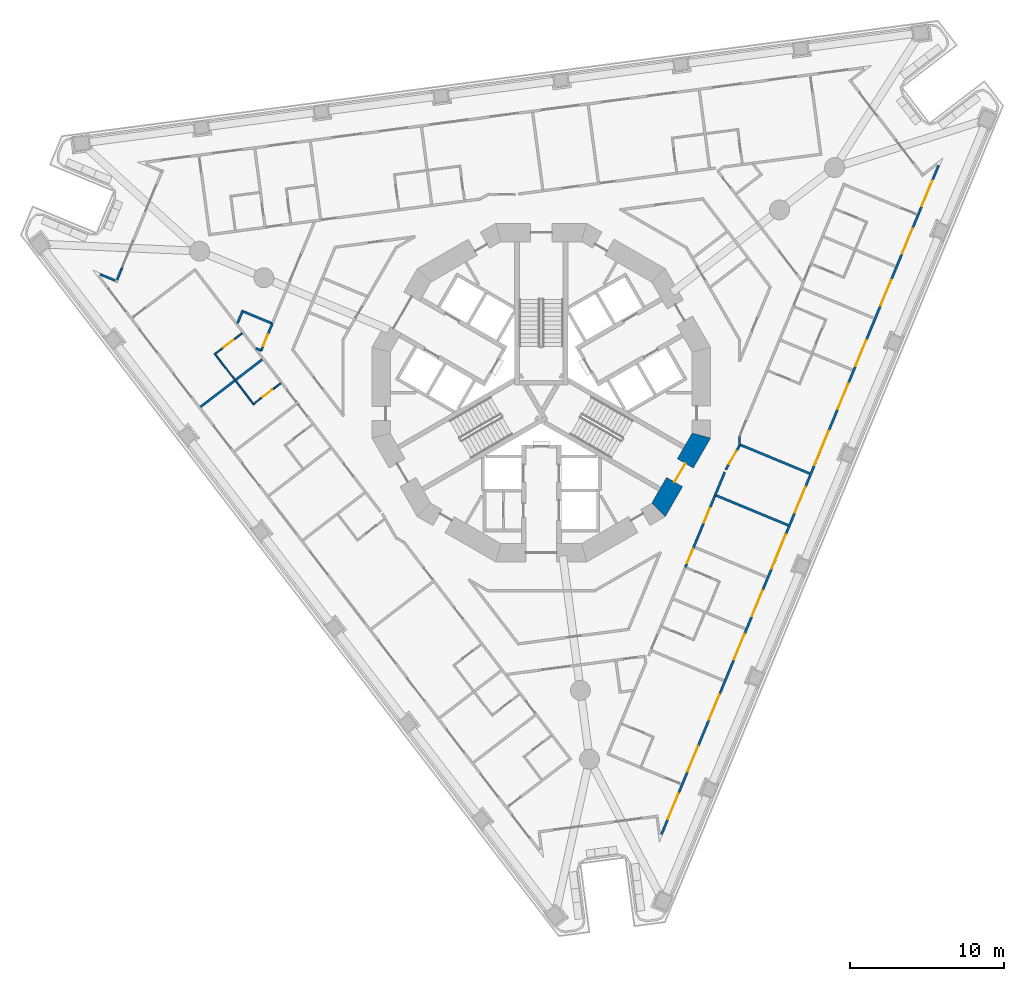
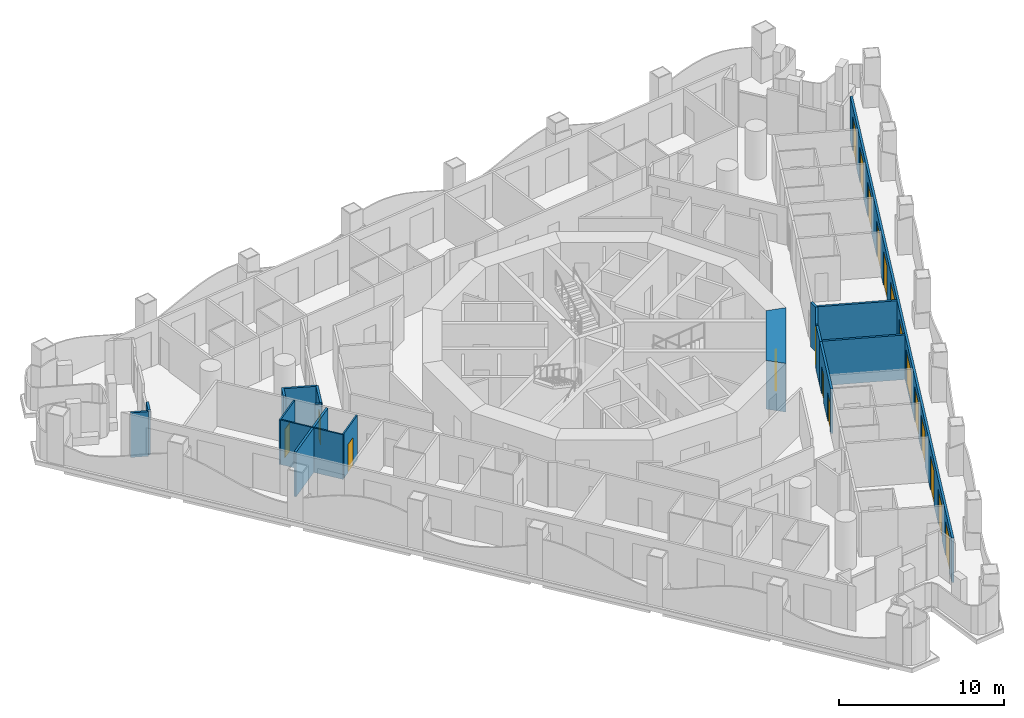
# One storey, part 5 of 19: 19 walls, 18 doors, 2 windows, 20 openings.
"""IFC4 building model written with IfcOpenShell, lengths in metres."""

import ifcopenshell
import ifcopenshell.guid

model = None  # the IFC model being written
_history = None  # IfcOwnerHistory: only IFC2X3 demands one
_inside = {}  # id of a spatial element -> (the spatial element, [elements in it])
_under = {}  # id of a project, library or spatial element -> (it, [spatial elements below it])
_declared = {}  # id of a project -> (the project, [libraries it declares])
_typed = {}  # id of a type object -> (the type object, [elements of that type])
_made_of = {}  # id of a material, layer set ... -> (it, [elements and type objects made of it])


def new_model(schema):
    """Start an empty IFC model of exactly this schema.

    Asked for "IFC4X3", IfcOpenShell would pick the latest addendum, in which some entities
    have other attributes; the version numbers below select the first issue.
    IFC2X3 requires an IfcOwnerHistory on every rooted entity: one is made here for all.
    """
    global model, _history
    if schema == "IFC4X3":
        model = ifcopenshell.file(schema_version=(4, 3, 0, 0))
    else:
        model = ifcopenshell.file(schema=schema)
    _inside.clear()
    _under.clear()
    _declared.clear()
    _typed.clear()
    _made_of.clear()
    _history = None
    if model.schema == "IFC2X3":
        org = make("IfcOrganization", Name="unknown")
        user = make(
            "IfcPersonAndOrganization",
            ThePerson=make("IfcPerson", FamilyName="unknown"),
            TheOrganization=org,
        )
        app = make(
            "IfcApplication",
            ApplicationDeveloper=org,
            Version="unknown",
            ApplicationFullName="unknown",
            ApplicationIdentifier="unknown",
        )
        _history = make(
            "IfcOwnerHistory",
            OwningUser=user,
            OwningApplication=app,
            ChangeAction="ADDED",
            CreationDate=0,
        )
    return model


def make(cls, **values):
    """One entity of the class cls with the attributes given. An attribute that is None is left unset."""
    return model.create_entity(
        cls, **{name: value for name, value in values.items() if value is not None}
    )


def rooted(cls, **values):
    """An entity with a GlobalId (a new one), such as an element, a storey or a relation."""
    return make(cls, GlobalId=ifcopenshell.guid.new(), OwnerHistory=_history, **values)


def si_unit(unit_type, name, prefix=None):
    """IfcSIUnit, for example si_unit("LENGTHUNIT", "METRE", prefix="MILLI")."""
    return make("IfcSIUnit", UnitType=unit_type, Prefix=prefix, Name=name)


def assignment(units):
    """IfcUnitAssignment: the units of a project."""
    return None if units is None else make("IfcUnitAssignment", Units=units)


def point(xyz):
    """IfcCartesianPoint."""
    return None if xyz is None else make("IfcCartesianPoint", Coordinates=xyz)


def direction(xyz):
    """IfcDirection."""
    return None if xyz is None else make("IfcDirection", DirectionRatios=xyz)


def frame(location, z_axis=None, x_axis=None):
    """IfcAxis2Placement3D, a coordinate frame: its origin and axes. An axis left out is left unset."""
    return make(
        "IfcAxis2Placement3D",
        Location=point(location),
        Axis=direction(z_axis),
        RefDirection=direction(x_axis),
    )


def frame_2d(location, x_axis=None):
    """IfcAxis2Placement2D, a coordinate frame in the plane: its origin and x axis."""
    return make(
        "IfcAxis2Placement2D", Location=point(location), RefDirection=direction(x_axis)
    )


def origin():
    """The frame at (0, 0, 0) with its axes left unset."""
    return frame((0.0, 0.0, 0.0))


def place(relative_to, where):
    """IfcLocalPlacement: puts the frame where relative to a parent placement (None: the world)."""
    return make(
        "IfcLocalPlacement", PlacementRelTo=relative_to, RelativePlacement=where
    )


def context(
    kind, dimensions, precision=None, world=None, true_north=None, identifier=None
):
    """IfcGeometricRepresentationContext, for example the 3D "Model" context."""
    return make(
        "IfcGeometricRepresentationContext",
        ContextIdentifier=identifier,
        ContextType=kind,
        CoordinateSpaceDimension=dimensions,
        Precision=precision,
        WorldCoordinateSystem=world,
        TrueNorth=true_north,
    )


def subcontext(parent, identifier, kind, view, scale=None):
    """IfcGeometricRepresentationSubContext, for example "Body" below "Model"."""
    return make(
        "IfcGeometricRepresentationSubContext",
        ContextIdentifier=identifier,
        ContextType=kind,
        ParentContext=parent,
        TargetScale=scale,
        TargetView=view,
    )


def project(units=None, contexts=None):
    """IfcProject with its units and contexts."""
    return rooted(
        "IfcProject",
        Name="project",
        RepresentationContexts=contexts,
        UnitsInContext=assignment(units),
    )


def spatial(cls, under=None, at=None, **own):
    """A site, building, storey or space (cls), placed at a placement, below another one or the project."""
    s = rooted(cls, ObjectPlacement=at, **own)
    if under is not None:
        _under.setdefault(under.id(), (under, []))[1].append(s)
    return s


def polyline(points):
    """IfcPolyline through the points."""
    return make("IfcPolyline", Points=[point(p) for p in points])


def profile(cls, at=None, kind="AREA", **sizes):
    """A parametric profile (cls). Its sizes go by their IFC names, for example OverallWidth=200.0."""
    return make(cls, ProfileType=kind, Position=at, **sizes)


def rectangle(**sizes):
    """IfcRectangleProfileDef."""
    return profile("IfcRectangleProfileDef", **sizes)


def outline(outer, holes=None, kind="AREA"):
    """IfcArbitraryClosedProfileDef: a profile drawn as a closed curve; with holes, ...WithVoids."""
    if holes is None:
        return make("IfcArbitraryClosedProfileDef", ProfileType=kind, OuterCurve=outer)
    return make(
        "IfcArbitraryProfileDefWithVoids",
        ProfileType=kind,
        OuterCurve=outer,
        InnerCurves=holes,
    )


def extrude(swept, where, along, depth):
    """IfcExtrudedAreaSolid: the profile swept, set in the frame where, extruded along a direction by depth."""
    return make(
        "IfcExtrudedAreaSolid",
        SweptArea=swept,
        Position=where,
        ExtrudedDirection=direction(along),
        Depth=depth,
    )


def shape(context_of_items, identifier, shape_type, items):
    """IfcShapeRepresentation: the items that make up one representation, for example the "Body"."""
    return make(
        "IfcShapeRepresentation",
        ContextOfItems=context_of_items,
        RepresentationIdentifier=identifier,
        RepresentationType=shape_type,
        Items=items,
    )


def material(Name=None, Category=None):
    """IfcMaterial."""
    return make("IfcMaterial", Name=Name, Category=Category)


def layer(
    of_material, thickness, ventilated=None, Name=None, Category=None, Priority=None
):
    """IfcMaterialLayer: one layer of a wall or slab, of a material (None: an air gap)."""
    return make(
        "IfcMaterialLayer",
        Material=of_material,
        LayerThickness=thickness,
        IsVentilated=ventilated,
        Name=Name,
        Category=Category,
        Priority=Priority,
    )


def layer_set(layers, Name=None):
    """IfcMaterialLayerSet."""
    return make("IfcMaterialLayerSet", MaterialLayers=layers, LayerSetName=Name)


def made_of(thing, what):
    """Note that an element or type object is made of a material, layer set ...; save() writes the relation."""
    if what is not None:
        _made_of.setdefault(what.id(), (what, []))[1].append(thing)
    return thing


def type_object(cls, material=None, **own):
    """A type object (cls), such as IfcWallType, which elements share."""
    return made_of(rooted(cls, **own), material)


def element(
    cls,
    number,
    at=None,
    inside=None,
    cuts=None,
    type_object=None,
    material=None,
    context=None,
    identifier="Body",
    shape_type=None,
    held_by="IfcProductDefinitionShape",
    body=None,
    shapes=None,
    **own,
):
    """One element of the class cls, such as IfcWall. Its Tag is "e" and its number.

    at: its placement. inside: the storey or other place that contains it. cuts: it is an
    opening in that element (IfcRelVoidsElement). A single representation is given by context,
    identifier, shape_type and body (its items); several are given by shapes. held_by: the class
    of the entity that holds the representations. save() writes the other relations.
    """
    e = rooted(cls, Tag="e%d" % number, ObjectPlacement=at, **own)
    if body is not None:
        shapes = [shape(context, identifier, shape_type, body)]
    if shapes is not None:
        e.Representation = make(held_by, Representations=shapes)
    if inside is not None:
        _inside.setdefault(inside.id(), (inside, []))[1].append(e)
    if cuts is not None:
        rooted(
            "IfcRelVoidsElement", RelatingBuildingElement=cuts, RelatedOpeningElement=e
        )
    if type_object is not None:
        _typed.setdefault(type_object.id(), (type_object, []))[1].append(e)
    return made_of(e, material)


def fill(opening, filler):
    """IfcRelFillsElement: the door or window that sits in an opening."""
    return rooted(
        "IfcRelFillsElement",
        RelatingOpeningElement=opening,
        RelatedBuildingElement=filler,
    )


def aggregate(whole, parts):
    """IfcRelAggregates: a whole, such as a stair, and the parts it consists of."""
    return rooted("IfcRelAggregates", RelatingObject=whole, RelatedObjects=parts)


def save(model, path):
    """Write the relations noted so far, then the file.

    IfcRelAggregates (storeys below a building ...), IfcRelContainedInSpatialStructure (elements
    in a storey), IfcRelDefinesByType, IfcRelAssociatesMaterial and IfcRelDeclares: one each for
    every whole, place, type object, material and project.
    """
    for whole, parts in _under.values():
        aggregate(whole, parts)
    for where, things in _inside.values():
        rooted(
            "IfcRelContainedInSpatialStructure",
            RelatedElements=things,
            RelatingStructure=where,
        )
    for kind, things in _typed.values():
        rooted("IfcRelDefinesByType", RelatedObjects=things, RelatingType=kind)
    for what, things in _made_of.values():
        rooted("IfcRelAssociatesMaterial", RelatedObjects=things, RelatingMaterial=what)
    for by, libraries in _declared.values():
        rooted("IfcRelDeclares", RelatingContext=by, RelatedDefinitions=libraries)
    model.write(path)


model = new_model("IFC4")

# Units and contexts
model_context = context("Model", 3, precision=1e-05, world=origin(), true_north=direction((0.0, 1.0)))
body_context = subcontext(model_context, "Body", "Model", "MODEL_VIEW")
ifc_project = project(units=[si_unit("LENGTHUNIT", "METRE"), si_unit("AREAUNIT", "SQUARE_METRE"), si_unit("VOLUMEUNIT", "CUBIC_METRE"), si_unit("PLANEANGLEUNIT", "RADIAN"), si_unit("MASSUNIT", "GRAM", prefix="KILO")], contexts=[model_context])

# Site, building, storey
site_placement = place(None, origin())
site = spatial("IfcSite", under=ifc_project, at=site_placement, CompositionType="ELEMENT")
building_placement = place(site_placement, origin())
building = spatial("IfcBuilding", under=site, at=building_placement, Name="Trine Commons Tower", CompositionType="ELEMENT")
storey_placement = place(building_placement, frame((0.0, 0.0, 64.800048828125)))
storey = spatial("IfcBuildingStorey", under=building, at=storey_placement, Name="L15", CompositionType="ELEMENT", Elevation=64.800048828125)

# Walls
ifc_material_1 = material(Name="Aluminium-framed insulated wall panel", Category="aluminium")
ifc_layer_1 = layer(ifc_material_1, 0.14990234375)
ifc_layer_set_1 = layer_set([ifc_layer_1], Name="Aluminium-framed insulated wall panel")
wall_type_1 = type_object("IfcWallType", Name="Glazed frame wall 150, EI 60", PredefinedType="SOLIDWALL", material=ifc_layer_set_1)
wall_1_placement = place(storey_placement, frame((51.175537109375, 70.256103515625, 0.0), z_axis=(0.0, 0.0, 1.0), x_axis=(0.923901801611, -0.382629665579, 0.0)))
element("IfcWall", 1, at=wall_1_placement, inside=storey, type_object=wall_type_1, Name="Glazed frame wall R1", PredefinedType="SOLIDWALL", context=body_context, shape_type="SweptSolid", body=[
    extrude(outline(polyline([(0.1494140625, 0.074951171875), (0.1494140625, -0.074951171875), (1.235107421875, -0.074951171875), (1.235107421875, 0.074951171875), (0.1494140625, 0.074951171875)])), origin(), (0.0, 0.0, 1.0), 3.300048828125),
])
wall_2_placement = place(storey_placement, frame((52.372314453125, 69.722412109375, 0.0), z_axis=(0.0, 0.0, 1.0), x_axis=(0.382603377961, 0.923912688068, 0.0)))
element("IfcWall", 2, at=wall_2_placement, inside=storey, type_object=wall_type_1, Name="Glazed frame wall P1.1", PredefinedType="SOLIDWALL", context=body_context, shape_type="SweptSolid", body=[
    extrude(outline(polyline([(0.110107421875, -0.074951171875), (1.0, -0.074951171875), (1.0, 0.074951171875), (0.110107421875, 0.074951171875), (0.110107421875, -0.074951171875)])), origin(), (0.0, 0.0, 1.0), 3.300048828125),
])

# Wall, openings, windows, doors
wall_3_placement = place(storey_placement, frame((105.888671875, 77.410888671875, 0.0), z_axis=(0.0, 0.0, 1.0), x_axis=(-0.38268395344, -0.923879316675, 0.0)))
wall_3 = element("IfcWall", 3, at=wall_3_placement, inside=storey, type_object=wall_type_1, Name="Glazed frame wall F2", PredefinedType="SOLIDWALL", context=body_context, shape_type="SweptSolid", body=[
    extrude(outline(polyline([(0.1494140625, 0.074951171875), (0.1494140625, -0.074951171875), (47.216796875, -0.074951171875), (47.216796875, 0.074951171875), (0.1494140625, 0.074951171875)])), origin(), (0.0, 0.0, 1.0), 3.300048828125),
])
opening_1_placement = place(wall_3_placement, frame((1.2216796875, 0.0, 0.0)))
opening_1 = element("IfcOpeningElement", 4, at=opening_1_placement, cuts=wall_3, Name="Opening BD-2F2-01", PredefinedType="OPENING", context=body_context, shape_type="SweptSolid", body=[
    extrude(rectangle(XDim=1.800048828125, YDim=2.60009765625, at=frame_2d((0.89990234375, 1.300048828125))), frame((0.0, 0.0849609375, 0.0), z_axis=(0.0, -1.0, 0.0), x_axis=(1.0, 0.0, 0.0)), (0.0, 0.0, 1.0), 0.169921875),
])
opening_2_placement = place(wall_3_placement, frame((4.5654296875, 0.0, 0.0)))
opening_2 = element("IfcOpeningElement", 5, at=opening_2_placement, cuts=wall_3, Name="Opening BD-2F2-02", PredefinedType="OPENING", context=body_context, shape_type="SweptSolid", body=[
    extrude(rectangle(XDim=1.800048828125, YDim=2.60009765625, at=frame_2d((0.89990234375, 1.300048828125))), frame((0.0, 0.0849609375, 0.0), z_axis=(0.0, -1.0, 0.0), x_axis=(1.0, 0.0, 0.0)), (0.0, 0.0, 1.0), 0.169921875),
])
opening_3_placement = place(wall_3_placement, frame((8.208984375, 0.0, 0.0)))
opening_3 = element("IfcOpeningElement", 6, at=opening_3_placement, cuts=wall_3, Name="Opening BD-2F2-03", PredefinedType="OPENING", context=body_context, shape_type="SweptSolid", body=[
    extrude(rectangle(XDim=1.800048828125, YDim=2.60009765625, at=frame_2d((0.89990234375, 1.300048828125))), frame((0.0, 0.0849609375, 0.0), z_axis=(0.0, -1.0, 0.0), x_axis=(1.0, 0.0, 0.0)), (0.0, 0.0, 1.0), 0.169921875),
])
opening_4_placement = place(wall_3_placement, frame((12.45263671875, 0.0, 0.0)))
opening_4 = element("IfcOpeningElement", 7, at=opening_4_placement, cuts=wall_3, Name="Opening BD-2F2-04", PredefinedType="OPENING", context=body_context, shape_type="SweptSolid", body=[
    extrude(rectangle(XDim=1.800048828125, YDim=2.60009765625, at=frame_2d((0.89990234375, 1.300048828125))), frame((0.0, 0.0849609375, 0.0), z_axis=(0.0, -1.0, 0.0), x_axis=(1.0, 0.0, 0.0)), (0.0, 0.0, 1.0), 0.169921875),
])
opening_5_placement = place(wall_3_placement, frame((15.49609375, 0.0, 0.0)))
opening_5 = element("IfcOpeningElement", 8, at=opening_5_placement, cuts=wall_3, Name="Opening BD-2F2-05", PredefinedType="OPENING", context=body_context, shape_type="SweptSolid", body=[
    extrude(rectangle(XDim=1.800048828125, YDim=2.60009765625, at=frame_2d((0.89990234375, 1.300048828125))), frame((0.0, 0.0849609375, 0.0), z_axis=(0.0, -1.0, 0.0), x_axis=(1.0, 0.0, 0.0)), (0.0, 0.0, 1.0), 0.169921875),
])
opening_6_placement = place(wall_3_placement, frame((18.83984375, 0.0, 0.14990234375)))
opening_6 = element("IfcOpeningElement", 9, at=opening_6_placement, cuts=wall_3, Name="Opening W-2F2-06", PredefinedType="OPENING", context=body_context, shape_type="SweptSolid", body=[
    extrude(rectangle(XDim=2.39990234375, YDim=2.449951171875, at=frame_2d((1.199951171875, 1.22509765625))), frame((0.0, 0.0849609375, 0.0), z_axis=(0.0, -1.0, 0.0), x_axis=(1.0, 0.0, 0.0)), (0.0, 0.0, 1.0), 0.169921875),
])
opening_7_placement = place(wall_3_placement, frame((22.783447265625, 0.0, 0.0)))
opening_7 = element("IfcOpeningElement", 10, at=opening_7_placement, cuts=wall_3, Name="Opening BD-2F2-07", PredefinedType="OPENING", context=body_context, shape_type="SweptSolid", body=[
    extrude(rectangle(XDim=1.800048828125, YDim=2.60009765625, at=frame_2d((0.89990234375, 1.300048828125))), frame((0.0, 0.0849609375, 0.0), z_axis=(0.0, -1.0, 0.0), x_axis=(1.0, 0.0, 0.0)), (0.0, 0.0, 1.0), 0.169921875),
])
opening_8_placement = place(wall_3_placement, frame((26.126953125, 0.0, 0.14990234375)))
opening_8 = element("IfcOpeningElement", 11, at=opening_8_placement, cuts=wall_3, Name="Opening W-2F2-08", PredefinedType="OPENING", context=body_context, shape_type="SweptSolid", body=[
    extrude(rectangle(XDim=2.39990234375, YDim=2.449951171875, at=frame_2d((1.199951171875, 1.22509765625))), frame((0.0, 0.0849609375, 0.0), z_axis=(0.0, -1.0, 0.0), x_axis=(1.0, 0.0, 0.0)), (0.0, 0.0, 1.0), 0.169921875),
])
opening_9_placement = place(wall_3_placement, frame((30.070556640625, 0.0, 0.0)))
opening_9 = element("IfcOpeningElement", 12, at=opening_9_placement, cuts=wall_3, Name="Opening BD-2F2-09", PredefinedType="OPENING", context=body_context, shape_type="SweptSolid", body=[
    extrude(rectangle(XDim=1.800048828125, YDim=2.60009765625, at=frame_2d((0.89990234375, 1.300048828125))), frame((0.0, 0.0849609375, 0.0), z_axis=(0.0, -1.0, 0.0), x_axis=(1.0, 0.0, 0.0)), (0.0, 0.0, 1.0), 0.169921875),
])
opening_10_placement = place(wall_3_placement, frame((33.1142578125, 0.0, 0.0)))
opening_10 = element("IfcOpeningElement", 13, at=opening_10_placement, cuts=wall_3, Name="Opening BD-2F2-10", PredefinedType="OPENING", context=body_context, shape_type="SweptSolid", body=[
    extrude(rectangle(XDim=1.800048828125, YDim=2.60009765625, at=frame_2d((0.89990234375, 1.300048828125))), frame((0.0, 0.0849609375, 0.0), z_axis=(0.0, -1.0, 0.0), x_axis=(1.0, 0.0, 0.0)), (0.0, 0.0, 1.0), 0.169921875),
])
opening_11_placement = place(wall_3_placement, frame((37.35791015625, 0.0, 0.0)))
opening_11 = element("IfcOpeningElement", 14, at=opening_11_placement, cuts=wall_3, Name="Opening BD-2F2-11", PredefinedType="OPENING", context=body_context, shape_type="SweptSolid", body=[
    extrude(rectangle(XDim=1.800048828125, YDim=2.60009765625, at=frame_2d((0.89990234375, 1.300048828125))), frame((0.0, 0.0849609375, 0.0), z_axis=(0.0, -1.0, 0.0), x_axis=(1.0, 0.0, 0.0)), (0.0, 0.0, 1.0), 0.169921875),
])
opening_12_placement = place(wall_3_placement, frame((41.00146484375, 0.0, 0.0)))
opening_12 = element("IfcOpeningElement", 15, at=opening_12_placement, cuts=wall_3, Name="Opening BD-2F2-12", PredefinedType="OPENING", context=body_context, shape_type="SweptSolid", body=[
    extrude(rectangle(XDim=1.800048828125, YDim=2.60009765625, at=frame_2d((0.89990234375, 1.300048828125))), frame((0.0, 0.0849609375, 0.0), z_axis=(0.0, -1.0, 0.0), x_axis=(1.0, 0.0, 0.0)), (0.0, 0.0, 1.0), 0.169921875),
])
opening_13_placement = place(wall_3_placement, frame((44.344970703125, 0.0, 0.0)))
opening_13 = element("IfcOpeningElement", 16, at=opening_13_placement, cuts=wall_3, Name="Opening BD-2F2-13", PredefinedType="OPENING", context=body_context, shape_type="SweptSolid", body=[
    extrude(rectangle(XDim=1.800048828125, YDim=2.60009765625, at=frame_2d((0.89990234375, 1.300048828125))), frame((0.0, 0.0849609375, 0.0), z_axis=(0.0, -1.0, 0.0), x_axis=(1.0, 0.0, 0.0)), (0.0, 0.0, 1.0), 0.169921875),
])
ifc_material_2 = material(Name="Anodised aluminium frame with double glazing", Category="aluminium")
window_type = type_object("IfcWindowType", Name="Fixed window 2400x2450", PartitioningType="SINGLE_PANEL", PredefinedType="WINDOW", material=ifc_material_2)
window_1_placement = place(opening_6_placement, origin())
window_1 = element("IfcWindow", 17, at=window_1_placement, inside=storey, type_object=window_type, Name="Window F2 6", OverallHeight=2.449951171875, OverallWidth=2.39990234375, PartitioningType="SINGLE_PANEL", PredefinedType="WINDOW", context=body_context, shape_type="SweptSolid", body=[
    extrude(rectangle(XDim=2.39990234375, YDim=2.449951171875, at=frame_2d((1.199951171875, 1.22509765625))), frame((0.0, 0.030029296875, 0.0), z_axis=(0.0, -1.0, 0.0), x_axis=(1.0, 0.0, 0.0)), (0.0, 0.0, 1.0), 0.06005859375),
])
fill(opening_6, window_1)
window_2_placement = place(opening_8_placement, origin())
window_2 = element("IfcWindow", 18, at=window_2_placement, inside=storey, type_object=window_type, Name="Window F2 8", OverallHeight=2.449951171875, OverallWidth=2.39990234375, PartitioningType="SINGLE_PANEL", PredefinedType="WINDOW", context=body_context, shape_type="SweptSolid", body=[
    extrude(rectangle(XDim=2.39990234375, YDim=2.449951171875, at=frame_2d((1.199951171875, 1.22509765625))), frame((0.0, 0.030029296875, 0.0), z_axis=(0.0, -1.0, 0.0), x_axis=(1.0, 0.0, 0.0)), (0.0, 0.0, 1.0), 0.06005859375),
])
fill(opening_8, window_2)
door_type_1 = type_object("IfcDoorType", Name="Sliding loggia door 1800x2600", OperationType="SLIDING_TO_LEFT", PredefinedType="DOOR", material=ifc_material_2)
door_1_placement = place(opening_1_placement, origin())
door_1 = element("IfcDoor", 19, at=door_1_placement, inside=storey, type_object=door_type_1, Name="Loggia door F2 1", OperationType="SLIDING_TO_LEFT", OverallHeight=2.60009765625, OverallWidth=1.800048828125, PredefinedType="DOOR", context=body_context, shape_type="SweptSolid", body=[
    extrude(rectangle(XDim=1.800048828125, YDim=2.60009765625, at=frame_2d((0.89990234375, 1.300048828125))), frame((0.0, 0.02490234375, 0.0), z_axis=(0.0, -1.0, 0.0), x_axis=(1.0, 0.0, 0.0)), (0.0, 0.0, 1.0), 0.050048828125),
])
fill(opening_1, door_1)
door_2_placement = place(opening_2_placement, origin())
door_2 = element("IfcDoor", 20, at=door_2_placement, inside=storey, type_object=door_type_1, Name="Loggia door F2 2", OperationType="SLIDING_TO_LEFT", OverallHeight=2.60009765625, OverallWidth=1.800048828125, PredefinedType="DOOR", context=body_context, shape_type="SweptSolid", body=[
    extrude(rectangle(XDim=1.800048828125, YDim=2.60009765625, at=frame_2d((0.89990234375, 1.300048828125))), frame((0.0, 0.02490234375, 0.0), z_axis=(0.0, -1.0, 0.0), x_axis=(1.0, 0.0, 0.0)), (0.0, 0.0, 1.0), 0.050048828125),
])
fill(opening_2, door_2)
door_3_placement = place(opening_3_placement, origin())
door_3 = element("IfcDoor", 21, at=door_3_placement, inside=storey, type_object=door_type_1, Name="Loggia door F2 3", OperationType="SLIDING_TO_LEFT", OverallHeight=2.60009765625, OverallWidth=1.800048828125, PredefinedType="DOOR", context=body_context, shape_type="SweptSolid", body=[
    extrude(rectangle(XDim=1.800048828125, YDim=2.60009765625, at=frame_2d((0.89990234375, 1.300048828125))), frame((0.0, 0.02490234375, 0.0), z_axis=(0.0, -1.0, 0.0), x_axis=(1.0, 0.0, 0.0)), (0.0, 0.0, 1.0), 0.050048828125),
])
fill(opening_3, door_3)
door_4_placement = place(opening_4_placement, origin())
door_4 = element("IfcDoor", 22, at=door_4_placement, inside=storey, type_object=door_type_1, Name="Loggia door F2 4", OperationType="SLIDING_TO_LEFT", OverallHeight=2.60009765625, OverallWidth=1.800048828125, PredefinedType="DOOR", context=body_context, shape_type="SweptSolid", body=[
    extrude(rectangle(XDim=1.800048828125, YDim=2.60009765625, at=frame_2d((0.89990234375, 1.300048828125))), frame((0.0, 0.02490234375, 0.0), z_axis=(0.0, -1.0, 0.0), x_axis=(1.0, 0.0, 0.0)), (0.0, 0.0, 1.0), 0.050048828125),
])
fill(opening_4, door_4)
door_5_placement = place(opening_5_placement, origin())
door_5 = element("IfcDoor", 23, at=door_5_placement, inside=storey, type_object=door_type_1, Name="Loggia door F2 5", OperationType="SLIDING_TO_LEFT", OverallHeight=2.60009765625, OverallWidth=1.800048828125, PredefinedType="DOOR", context=body_context, shape_type="SweptSolid", body=[
    extrude(rectangle(XDim=1.800048828125, YDim=2.60009765625, at=frame_2d((0.89990234375, 1.300048828125))), frame((0.0, 0.02490234375, 0.0), z_axis=(0.0, -1.0, 0.0), x_axis=(1.0, 0.0, 0.0)), (0.0, 0.0, 1.0), 0.050048828125),
])
fill(opening_5, door_5)
door_6_placement = place(opening_7_placement, origin())
door_6 = element("IfcDoor", 24, at=door_6_placement, inside=storey, type_object=door_type_1, Name="Loggia door F2 7", OperationType="SLIDING_TO_LEFT", OverallHeight=2.60009765625, OverallWidth=1.800048828125, PredefinedType="DOOR", context=body_context, shape_type="SweptSolid", body=[
    extrude(rectangle(XDim=1.800048828125, YDim=2.60009765625, at=frame_2d((0.89990234375, 1.300048828125))), frame((0.0, 0.02490234375, 0.0), z_axis=(0.0, -1.0, 0.0), x_axis=(1.0, 0.0, 0.0)), (0.0, 0.0, 1.0), 0.050048828125),
])
fill(opening_7, door_6)
door_7_placement = place(opening_9_placement, origin())
door_7 = element("IfcDoor", 25, at=door_7_placement, inside=storey, type_object=door_type_1, Name="Loggia door F2 9", OperationType="SLIDING_TO_LEFT", OverallHeight=2.60009765625, OverallWidth=1.800048828125, PredefinedType="DOOR", context=body_context, shape_type="SweptSolid", body=[
    extrude(rectangle(XDim=1.800048828125, YDim=2.60009765625, at=frame_2d((0.89990234375, 1.300048828125))), frame((0.0, 0.02490234375, 0.0), z_axis=(0.0, -1.0, 0.0), x_axis=(1.0, 0.0, 0.0)), (0.0, 0.0, 1.0), 0.050048828125),
])
fill(opening_9, door_7)
door_8_placement = place(opening_10_placement, origin())
door_8 = element("IfcDoor", 26, at=door_8_placement, inside=storey, type_object=door_type_1, Name="Loggia door F2 10", OperationType="SLIDING_TO_LEFT", OverallHeight=2.60009765625, OverallWidth=1.800048828125, PredefinedType="DOOR", context=body_context, shape_type="SweptSolid", body=[
    extrude(rectangle(XDim=1.800048828125, YDim=2.60009765625, at=frame_2d((0.89990234375, 1.300048828125))), frame((0.0, 0.02490234375, 0.0), z_axis=(0.0, -1.0, 0.0), x_axis=(1.0, 0.0, 0.0)), (0.0, 0.0, 1.0), 0.050048828125),
])
fill(opening_10, door_8)
door_9_placement = place(opening_11_placement, origin())
door_9 = element("IfcDoor", 27, at=door_9_placement, inside=storey, type_object=door_type_1, Name="Loggia door F2 11", OperationType="SLIDING_TO_LEFT", OverallHeight=2.60009765625, OverallWidth=1.800048828125, PredefinedType="DOOR", context=body_context, shape_type="SweptSolid", body=[
    extrude(rectangle(XDim=1.800048828125, YDim=2.60009765625, at=frame_2d((0.89990234375, 1.300048828125))), frame((0.0, 0.02490234375, 0.0), z_axis=(0.0, -1.0, 0.0), x_axis=(1.0, 0.0, 0.0)), (0.0, 0.0, 1.0), 0.050048828125),
])
fill(opening_11, door_9)
door_10_placement = place(opening_12_placement, origin())
door_10 = element("IfcDoor", 28, at=door_10_placement, inside=storey, type_object=door_type_1, Name="Loggia door F2 12", OperationType="SLIDING_TO_LEFT", OverallHeight=2.60009765625, OverallWidth=1.800048828125, PredefinedType="DOOR", context=body_context, shape_type="SweptSolid", body=[
    extrude(rectangle(XDim=1.800048828125, YDim=2.60009765625, at=frame_2d((0.89990234375, 1.300048828125))), frame((0.0, 0.02490234375, 0.0), z_axis=(0.0, -1.0, 0.0), x_axis=(1.0, 0.0, 0.0)), (0.0, 0.0, 1.0), 0.050048828125),
])
fill(opening_12, door_10)
door_11_placement = place(opening_13_placement, origin())
door_11 = element("IfcDoor", 29, at=door_11_placement, inside=storey, type_object=door_type_1, Name="Loggia door F2 13", OperationType="SLIDING_TO_LEFT", OverallHeight=2.60009765625, OverallWidth=1.800048828125, PredefinedType="DOOR", context=body_context, shape_type="SweptSolid", body=[
    extrude(rectangle(XDim=1.800048828125, YDim=2.60009765625, at=frame_2d((0.89990234375, 1.300048828125))), frame((0.0, 0.02490234375, 0.0), z_axis=(0.0, -1.0, 0.0), x_axis=(1.0, 0.0, 0.0)), (0.0, 0.0, 1.0), 0.050048828125),
])
fill(opening_13, door_11)

# Wall, opening, door
ifc_material_3 = material(Name="Concrete C80/95", Category="concrete")
ifc_layer_2 = layer(ifc_material_3, 1.199951171875)
ifc_layer_set_2 = layer_set([ifc_layer_2], Name="Concrete C80/95")
wall_type_2 = type_object("IfcWallType", Name="RC shear wall 1200 mm, C80/95", PredefinedType="SHEAR", material=ifc_layer_set_2)
wall_4_placement = place(storey_placement, frame((87.54150390625, 54.739013671875, 0.0), z_axis=(0.0, 0.0, 1.0), x_axis=(0.499979111662, 0.866037463336, 0.0)))
wall_4 = element("IfcWall", 30, at=wall_4_placement, inside=storey, type_object=wall_type_2, Name="Core wall CWB-12 L15", PredefinedType="SHEAR", context=body_context, shape_type="SweptSolid", body=[
    extrude(outline(polyline([(0.0, -0.60009765625), (5.901123046875, -0.60009765625), (5.57958984375, 0.60009765625), (0.321533203125, 0.60009765625), (0.0, -0.60009765625)])), origin(), (0.0, 0.0, 1.0), 3.599853515625),
])
opening_14_placement = place(wall_4_placement, frame((2.25048828125, 0.0, 0.0)))
opening_14 = element("IfcOpeningElement", 31, at=opening_14_placement, cuts=wall_4, Name="Opening K06.03", PredefinedType="OPENING", context=body_context, shape_type="SweptSolid", body=[
    extrude(rectangle(XDim=1.39990234375, YDim=2.10009765625, at=frame_2d((0.699951171875, 1.050048828125))), frame((0.0, 0.60986328125, 0.0), z_axis=(0.0, -1.0, 0.0), x_axis=(1.0, 0.0, 0.0)), (0.0, 0.0, 1.0), 1.219970703125),
])
ifc_material_4 = material(Name="Steel door leaves, fire-rated", Category="steel")
door_type_2 = type_object("IfcDoorType", Name="Stair door, double leaf 1400 x 2100, FD90", OperationType="DOUBLE_DOOR_SINGLE_SWING", PredefinedType="DOOR", material=ifc_material_4)
door_12_placement = place(opening_14_placement, origin())
door_12 = element("IfcDoor", 32, at=door_12_placement, inside=storey, type_object=door_type_2, Name="Stair door to Exit stair ST3A L15", OperationType="DOUBLE_DOOR_SINGLE_SWING", OverallHeight=2.10009765625, OverallWidth=1.39990234375, PredefinedType="DOOR", context=body_context, shape_type="SweptSolid", body=[
    extrude(rectangle(XDim=1.39990234375, YDim=2.10009765625, at=frame_2d((0.699951171875, 1.050048828125))), frame((0.0, 0.02490234375, 0.0), z_axis=(0.0, -1.0, 0.0), x_axis=(1.0, 0.0, 0.0)), (0.0, 0.0, 1.0), 0.050048828125),
])
fill(opening_14, door_12)

# Walls
ifc_material_5 = material(Name="Gypsum plasterboard on steel stud", Category="steel")
ifc_layer_3 = layer(ifc_material_5, 0.14990234375)
ifc_layer_set_3 = layer_set([ifc_layer_3], Name="Gypsum plasterboard on steel stud")
wall_type_3 = type_object("IfcWallType", Name="Unit and corridor wall 150 mm, EI 60", PredefinedType="PARTITIONING", material=ifc_layer_set_3)
wall_5_placement = place(storey_placement, frame((57.84765625, 61.576416015625, 0.0), z_axis=(0.0, 0.0, 1.0), x_axis=(0.793280814045, 0.608855935397, 0.0)))
element("IfcWall", 33, at=wall_5_placement, inside=storey, type_object=wall_type_3, Name="Partition 004", PredefinedType="PARTITIONING", context=body_context, shape_type="SweptSolid", body=[
    extrude(rectangle(XDim=2.789306640625, YDim=0.14990234375, at=frame_2d((1.39453125, 0.0))), origin(), (0.0, 0.0, 1.0), 3.300048828125),
])
wall_6_placement = place(storey_placement, frame((60.1396484375, 63.33544921875, 0.0), z_axis=(0.0, 0.0, 1.0), x_axis=(0.79342025342, 0.608674216197, 0.0)))
element("IfcWall", 34, at=wall_6_placement, inside=storey, type_object=wall_type_3, Name="Partition 011", PredefinedType="PARTITIONING", context=body_context, shape_type="SweptSolid", body=[
    extrude(rectangle(XDim=2.17529296875, YDim=0.14990234375, at=frame_2d((1.087646484375, 0.0))), origin(), (0.0, 0.0, 1.0), 3.300048828125),
])
wall_7_placement = place(storey_placement, frame((60.24560546875, 67.000244140625, 0.0), z_axis=(0.0, 0.0, 1.0), x_axis=(0.383080061035, 0.923715143774, 0.0)))
element("IfcWall", 35, at=wall_7_placement, inside=storey, type_object=wall_type_3, Name="Partition 013", PredefinedType="PARTITIONING", context=body_context, shape_type="SweptSolid", body=[
    extrude(rectangle(XDim=0.9375, YDim=0.14990234375, at=frame_2d((0.46875, 0.0))), origin(), (0.0, 0.0, 1.0), 3.300048828125),
])
wall_8_placement = place(storey_placement, frame((60.645263671875, 67.768310546875, 0.0), z_axis=(0.0, 0.0, 1.0), x_axis=(0.923799320148, -0.382877024767, 0.0)))
element("IfcWall", 36, at=wall_8_placement, inside=storey, type_object=wall_type_3, Name="Partition 014", PredefinedType="PARTITIONING", context=body_context, shape_type="SweptSolid", body=[
    extrude(rectangle(XDim=2.025146484375, YDim=0.14990234375, at=frame_2d((1.0126953125, 0.0))), origin(), (0.0, 0.0, 1.0), 3.300048828125),
])
wall_9_placement = place(storey_placement, frame((61.43896484375, 65.38330078125, 0.0), z_axis=(0.0, 0.0, 1.0), x_axis=(0.923599819829, -0.383358021714, 0.0)))
element("IfcWall", 37, at=wall_9_placement, inside=storey, type_object=wall_type_3, Name="Partition 017", PredefinedType="PARTITIONING", context=body_context, shape_type="SweptSolid", body=[
    extrude(rectangle(XDim=0.39990234375, YDim=0.14990234375, at=frame_2d((0.199951171875, 0.0))), origin(), (0.0, 0.0, 1.0), 3.300048828125),
])

# Wall, opening, door
wall_10_placement = place(storey_placement, frame((61.787109375, 65.23388671875, 0.0), z_axis=(0.0, 0.0, 1.0), x_axis=(0.38314285934, 0.923689097769, 0.0)))
wall_10 = element("IfcWall", 38, at=wall_10_placement, inside=storey, type_object=wall_type_3, Name="Partition 019", PredefinedType="PARTITIONING", context=body_context, shape_type="SweptSolid", body=[
    extrude(rectangle(XDim=1.90771484375, YDim=0.14990234375, at=frame_2d((0.953857421875, 0.0))), origin(), (0.0, 0.0, 1.0), 3.300048828125),
])
opening_15_placement = place(wall_10_placement, frame((0.328125, 0.0, 0.0)))
opening_15 = element("IfcOpeningElement", 39, at=opening_15_placement, cuts=wall_10, Name="Opening D-2B06", PredefinedType="OPENING", context=body_context, shape_type="SweptSolid", body=[
    extrude(rectangle(XDim=0.800048828125, YDim=2.10009765625, at=frame_2d((0.39990234375, 1.050048828125))), frame((0.0, 0.0849609375, 0.0), z_axis=(0.0, -1.0, 0.0), x_axis=(1.0, 0.0, 0.0)), (0.0, 0.0, 1.0), 0.169921875),
])
ifc_material_6 = material(Name="Painted timber", Category="wood")
door_type_3 = type_object("IfcDoorType", Name="Toilet door 800 x 2100, NOT RATED", OperationType="NOTDEFINED", PredefinedType="DOOR", material=ifc_material_6)
door_13_placement = place(opening_15_placement, origin())
door_13 = element("IfcDoor", 40, at=door_13_placement, inside=storey, type_object=door_type_3, Name="Door D-2B06", OperationType="SINGLE_SWING_LEFT", OverallHeight=2.10009765625, OverallWidth=0.800048828125, PredefinedType="DOOR", context=body_context, shape_type="SweptSolid", body=[
    extrude(rectangle(XDim=0.800048828125, YDim=2.10009765625, at=frame_2d((0.39990234375, 1.050048828125))), frame((0.0, 0.02490234375, 0.0), z_axis=(0.0, -1.0, 0.0), x_axis=(1.0, 0.0, 0.0)), (0.0, 0.0, 1.0), 0.050048828125),
])
fill(opening_15, door_13)

# Wall, openings, doors
wall_11_placement = place(storey_placement, frame((89.343994140625, 51.0927734375, 0.0), z_axis=(0.0, 0.0, 1.0), x_axis=(0.38248170609, 0.923963064471, 0.0)))
wall_11 = element("IfcWall", 41, at=wall_11_placement, inside=storey, type_object=wall_type_3, Name="Partition 108", PredefinedType="PARTITIONING", context=body_context, shape_type="SweptSolid", body=[
    extrude(rectangle(XDim=5.1455078125, YDim=0.14990234375, at=frame_2d((2.57275390625, 0.0))), origin(), (0.0, 0.0, 1.0), 3.300048828125),
])
opening_16_placement = place(wall_11_placement, frame((3.22021484375, 0.0, 0.0)))
opening_16 = element("IfcOpeningElement", 42, at=opening_16_placement, cuts=wall_11, Name="Opening D-2B19", PredefinedType="OPENING", context=body_context, shape_type="SweptSolid", body=[
    extrude(rectangle(XDim=1.0, YDim=2.10009765625, at=frame_2d((0.5, 1.050048828125))), frame((0.0, 0.0849609375, 0.0), z_axis=(0.0, -1.0, 0.0), x_axis=(1.0, 0.0, 0.0)), (0.0, 0.0, 1.0), 0.169921875),
])
opening_17_placement = place(wall_11_placement, frame((0.34716796875, 0.0, 0.0)))
opening_17 = element("IfcOpeningElement", 43, at=opening_17_placement, cuts=wall_11, Name="Opening D-2B20", PredefinedType="OPENING", context=body_context, shape_type="SweptSolid", body=[
    extrude(rectangle(XDim=1.0, YDim=2.10009765625, at=frame_2d((0.5, 1.050048828125))), frame((0.0, 0.0849609375, 0.0), z_axis=(0.0, -1.0, 0.0), x_axis=(1.0, 0.0, 0.0)), (0.0, 0.0, 1.0), 0.169921875),
])
door_type_4 = type_object("IfcDoorType", Name="Amenity room door 1000 x 2100, NOT RATED", OperationType="NOTDEFINED", PredefinedType="DOOR", material=ifc_material_6)
door_14_placement = place(opening_16_placement, frame((1.0, 0.0, 0.0), z_axis=(0.0, 0.0, 1.0), x_axis=(-1.0, 0.0, 0.0)))
door_14 = element("IfcDoor", 44, at=door_14_placement, inside=storey, type_object=door_type_4, Name="Door D-2B19", OperationType="SINGLE_SWING_LEFT", OverallHeight=2.10009765625, OverallWidth=1.0, PredefinedType="DOOR", context=body_context, shape_type="SweptSolid", body=[
    extrude(rectangle(XDim=1.0, YDim=2.10009765625, at=frame_2d((0.5, 1.050048828125))), frame((0.0, 0.02490234375, 0.0), z_axis=(0.0, -1.0, 0.0), x_axis=(1.0, 0.0, 0.0)), (0.0, 0.0, 1.0), 0.050048828125),
])
fill(opening_16, door_14)
ifc_material_7 = material(Name="Timber fire door set", Category="wood")
door_type_5 = type_object("IfcDoorType", Name="Bedroom door 1000 x 2100, FD30S", OperationType="NOTDEFINED", PredefinedType="DOOR", material=ifc_material_7)
door_15_placement = place(opening_17_placement, frame((1.0, 0.0, 0.0), z_axis=(0.0, 0.0, 1.0), x_axis=(-1.0, 0.0, 0.0)))
door_15 = element("IfcDoor", 45, at=door_15_placement, inside=storey, type_object=door_type_5, Name="Door D-2B20", OperationType="SINGLE_SWING_RIGHT", OverallHeight=2.10009765625, OverallWidth=1.0, PredefinedType="DOOR", context=body_context, shape_type="SweptSolid", body=[
    extrude(rectangle(XDim=1.0, YDim=2.10009765625, at=frame_2d((0.5, 1.050048828125))), frame((0.0, 0.02490234375, 0.0), z_axis=(0.0, -1.0, 0.0), x_axis=(1.0, 0.0, 0.0)), (0.0, 0.0, 1.0), 0.050048828125),
])
fill(opening_17, door_15)

# Walls
wall_12_placement = place(storey_placement, frame((91.2802734375, 55.769775390625, 0.0), z_axis=(0.0, 0.0, 1.0), x_axis=(0.382865069258, 0.923804275127, 0.0)))
element("IfcWall", 46, at=wall_12_placement, inside=storey, type_object=wall_type_3, Name="Partition 121", PredefinedType="PARTITIONING", context=body_context, shape_type="SweptSolid", body=[
    extrude(rectangle(XDim=1.6943359375, YDim=0.14990234375, at=frame_2d((0.84716796875, 0.0))), origin(), (0.0, 0.0, 1.0), 3.300048828125),
])
wall_13_placement = place(storey_placement, frame((91.38037109375, 55.814208984375, 0.0), z_axis=(0.0, 0.0, 1.0), x_axis=(0.923879340067, -0.382683896966, 0.0)))
element("IfcWall", 47, at=wall_13_placement, inside=storey, type_object=wall_type_3, Name="Partition 122", PredefinedType="PARTITIONING", context=body_context, shape_type="SweptSolid", body=[
    extrude(rectangle(XDim=5.064208984375, YDim=0.14990234375, at=frame_2d((2.5322265625, 0.0))), origin(), (0.0, 0.0, 1.0), 3.300048828125),
])

# Wall, opening, door
wall_14_placement = place(storey_placement, frame((91.988037109375, 57.490966796875, 0.0), z_axis=(0.0, 0.0, 1.0), x_axis=(0.500200642588, 0.865909531738, 0.0)))
wall_14 = element("IfcWall", 48, at=wall_14_placement, inside=storey, type_object=wall_type_3, Name="Partition 126", PredefinedType="PARTITIONING", context=body_context, shape_type="SweptSolid", body=[
    extrude(rectangle(XDim=1.797119140625, YDim=0.14990234375, at=frame_2d((0.8984375, 0.0))), origin(), (0.0, 0.0, 1.0), 3.300048828125),
])
opening_18_placement = place(wall_14_placement, frame((0.418701171875, 0.0, 0.0)))
opening_18 = element("IfcOpeningElement", 49, at=opening_18_placement, cuts=wall_14, Name="Opening D-2B18", PredefinedType="OPENING", context=body_context, shape_type="SweptSolid", body=[
    extrude(rectangle(XDim=1.0, YDim=2.10009765625, at=frame_2d((0.5, 1.050048828125))), frame((0.0, 0.0849609375, 0.0), z_axis=(0.0, -1.0, 0.0), x_axis=(1.0, 0.0, 0.0)), (0.0, 0.0, 1.0), 0.169921875),
])
door_16_placement = place(opening_18_placement, frame((1.0, 0.0, 0.0), z_axis=(0.0, 0.0, 1.0), x_axis=(-1.0, 0.0, 0.0)))
door_16 = element("IfcDoor", 50, at=door_16_placement, inside=storey, type_object=door_type_4, Name="Door D-2B18", OperationType="SINGLE_SWING_LEFT", OverallHeight=2.10009765625, OverallWidth=1.0, PredefinedType="DOOR", context=body_context, shape_type="SweptSolid", body=[
    extrude(rectangle(XDim=1.0, YDim=2.10009765625, at=frame_2d((0.5, 1.050048828125))), frame((0.0, 0.02490234375, 0.0), z_axis=(0.0, -1.0, 0.0), x_axis=(1.0, 0.0, 0.0)), (0.0, 0.0, 1.0), 0.050048828125),
])
fill(opening_18, door_16)

# Walls
wall_15_placement = place(storey_placement, frame((92.886962890625, 59.053955078125, 0.0), z_axis=(0.0, 0.0, 1.0), x_axis=(0.0, 1.0, 0.0)))
element("IfcWall", 51, at=wall_15_placement, inside=storey, type_object=wall_type_3, Name="Partition 129", PredefinedType="PARTITIONING", context=body_context, shape_type="SweptSolid", body=[
    extrude(rectangle(XDim=0.60400390625, YDim=0.14990234375, at=frame_2d((0.302001953125, 0.0))), origin(), (0.0, 0.0, 1.0), 3.300048828125),
])
wall_16_placement = place(storey_placement, frame((92.956298828125, 59.105224609375, 0.0), z_axis=(0.0, 0.0, 1.0), x_axis=(0.923843801062, -0.382769684325, 0.0)))
element("IfcWall", 52, at=wall_16_placement, inside=storey, type_object=wall_type_3, Name="Partition 130", PredefinedType="PARTITIONING", context=body_context, shape_type="SweptSolid", body=[
    extrude(rectangle(XDim=4.8671875, YDim=0.14990234375, at=frame_2d((2.43359375, 0.0))), origin(), (0.0, 0.0, 1.0), 3.300048828125),
])

# Wall, opening, door
ifc_layer_4 = layer(ifc_material_5, 0.10009765625)
ifc_layer_set_4 = layer_set([ifc_layer_4], Name="Gypsum plasterboard on steel stud")
wall_type_4 = type_object("IfcWallType", Name="Unit partition 100 mm, no rating", PredefinedType="PARTITIONING", material=ifc_layer_set_4)
wall_17_placement = place(storey_placement, frame((58.751220703125, 64.980712890625, 0.0), z_axis=(0.0, 0.0, 1.0), x_axis=(0.793437070432, 0.608652294224, 0.0)))
wall_17 = element("IfcWall", 53, at=wall_17_placement, inside=storey, type_object=wall_type_4, Name="Partition 006", PredefinedType="PARTITIONING", context=body_context, shape_type="SweptSolid", body=[
    extrude(rectangle(XDim=2.275146484375, YDim=0.10009765625, at=frame_2d((1.1376953125, 0.0))), origin(), (0.0, 0.0, 1.0), 3.300048828125),
])
opening_19_placement = place(wall_17_placement, frame((0.762451171875, 0.0, 0.0)))
opening_19 = element("IfcOpeningElement", 54, at=opening_19_placement, cuts=wall_17, Name="Opening D-2B57", PredefinedType="OPENING", context=body_context, shape_type="SweptSolid", body=[
    extrude(rectangle(XDim=0.800048828125, YDim=2.10009765625, at=frame_2d((0.39990234375, 1.050048828125))), frame((0.0, 0.06005859375, 0.0), z_axis=(0.0, -1.0, 0.0), x_axis=(1.0, 0.0, 0.0)), (0.0, 0.0, 1.0), 0.1201171875),
])
door_type_6 = type_object("IfcDoorType", Name="Internal door 800 x 2100, NOT RATED", OperationType="NOTDEFINED", PredefinedType="DOOR", material=ifc_material_6)
door_17_placement = place(opening_19_placement, origin())
door_17 = element("IfcDoor", 55, at=door_17_placement, inside=storey, type_object=door_type_6, Name="Door D-2B57", OperationType="SINGLE_SWING_RIGHT", OverallHeight=2.10009765625, OverallWidth=0.800048828125, PredefinedType="DOOR", context=body_context, shape_type="SweptSolid", body=[
    extrude(rectangle(XDim=0.800048828125, YDim=2.10009765625, at=frame_2d((0.39990234375, 1.050048828125))), frame((0.0, 0.02490234375, 0.0), z_axis=(0.0, -1.0, 0.0), x_axis=(1.0, 0.0, 0.0)), (0.0, 0.0, 1.0), 0.050048828125),
])
fill(opening_19, door_17)

# Wall
wall_18_placement = place(storey_placement, frame((58.8212890625, 64.97119140625, 0.0), z_axis=(0.0, 0.0, 1.0), x_axis=(0.608766496324, -0.793349451978, 0.0)))
element("IfcWall", 56, at=wall_18_placement, inside=storey, type_object=wall_type_4, Name="Partition 007", PredefinedType="PARTITIONING", context=body_context, shape_type="SweptSolid", body=[
    extrude(rectangle(XDim=4.100341796875, YDim=0.10009765625, at=frame_2d((2.05029296875, 0.0))), origin(), (0.0, 0.0, 1.0), 3.300048828125),
])

# Wall, opening, door
wall_19_placement = place(storey_placement, frame((61.32666015625, 61.788330078125, 0.0), z_axis=(0.0, 0.0, 1.0), x_axis=(0.79342025342, 0.608674216197, 0.0)))
wall_19 = element("IfcWall", 57, at=wall_19_placement, inside=storey, type_object=wall_type_4, Name="Partition 015", PredefinedType="PARTITIONING", context=body_context, shape_type="SweptSolid", body=[
    extrude(rectangle(XDim=2.17529296875, YDim=0.10009765625, at=frame_2d((1.087646484375, 0.0))), origin(), (0.0, 0.0, 1.0), 3.300048828125),
])
opening_20_placement = place(wall_19_placement, frame((0.6875, 0.0, 0.0)))
opening_20 = element("IfcOpeningElement", 58, at=opening_20_placement, cuts=wall_19, Name="Opening D-2B56", PredefinedType="OPENING", context=body_context, shape_type="SweptSolid", body=[
    extrude(rectangle(XDim=0.800048828125, YDim=2.10009765625, at=frame_2d((0.39990234375, 1.050048828125))), frame((0.0, 0.06005859375, 0.0), z_axis=(0.0, -1.0, 0.0), x_axis=(1.0, 0.0, 0.0)), (0.0, 0.0, 1.0), 0.1201171875),
])
door_18_placement = place(opening_20_placement, frame((0.800048828125, 0.0, 0.0), z_axis=(0.0, 0.0, 1.0), x_axis=(-1.0, 0.0, 0.0)))
door_18 = element("IfcDoor", 59, at=door_18_placement, inside=storey, type_object=door_type_6, Name="Door D-2B56", OperationType="SINGLE_SWING_LEFT", OverallHeight=2.10009765625, OverallWidth=0.800048828125, PredefinedType="DOOR", context=body_context, shape_type="SweptSolid", body=[
    extrude(rectangle(XDim=0.800048828125, YDim=2.10009765625, at=frame_2d((0.39990234375, 1.050048828125))), frame((0.0, 0.02490234375, 0.0), z_axis=(0.0, -1.0, 0.0), x_axis=(1.0, 0.0, 0.0)), (0.0, 0.0, 1.0), 0.050048828125),
])
fill(opening_20, door_18)

save(model, "model.ifc")
